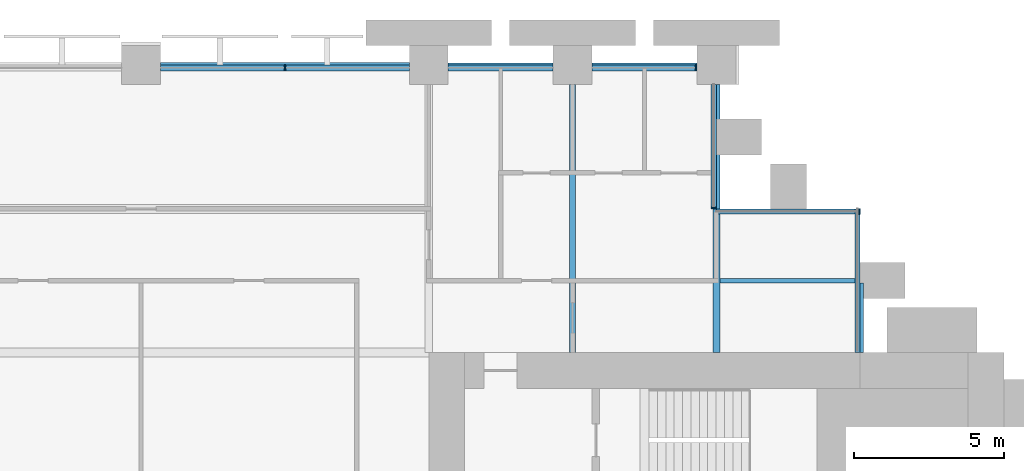
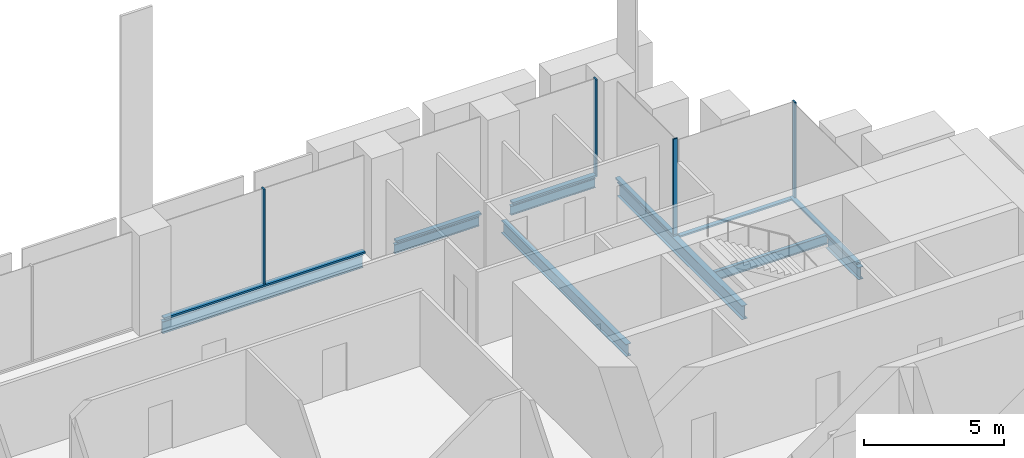
# One storey, part 13 of 22: 10 members, 7 beams, 4 elements without a shape of their own.
"""IFC4 building model written with IfcOpenShell, lengths in metres."""

from ifc_helpers import new_model, si_unit, direction, frame, origin, origin_2d, place, context, subcontext, project, spatial, rectangle, i_section, extrude, material, material_profile, profile_set, type_object, element, aggregate, save


model = new_model("IFC4")

# Units and contexts
model_context = context("Model", 3, precision=1e-05, world=origin(), true_north=direction((0.0, 1.0)))
body_context = subcontext(model_context, "Body", "Model", "MODEL_VIEW")
ifc_project = project(units=[si_unit("LENGTHUNIT", "METRE"), si_unit("AREAUNIT", "SQUARE_METRE"), si_unit("VOLUMEUNIT", "CUBIC_METRE"), si_unit("PLANEANGLEUNIT", "RADIAN"), si_unit("MASSUNIT", "GRAM", prefix="KILO")], contexts=[model_context])

# Site, building, storey
site_placement = place(None, origin())
site = spatial("IfcSite", under=ifc_project, at=site_placement, CompositionType="ELEMENT")
building_placement = place(site_placement, origin())
building = spatial("IfcBuilding", under=site, at=building_placement, Name="Baori Bourse Tower", CompositionType="ELEMENT")
storey_placement = place(building_placement, frame((0.0, 0.0, 25.800048828125)))
storey = spatial("IfcBuildingStorey", under=building, at=storey_placement, Name="L04", CompositionType="ELEMENT", Elevation=25.800048828125)

# Curtain wall, members
ifc_material_1 = material(Name="Pale anodised aluminium", Category="aluminium")
curtain_wall_type_1 = type_object("IfcCurtainWallType", Name="CW1 Curtain wall", PredefinedType="NOTDEFINED", material=ifc_material_1)
curtain_wall_1_placement = place(storey_placement, origin())
curtain_wall_1 = element("IfcCurtainWall", 1, at=curtain_wall_1_placement, inside=storey, type_object=curtain_wall_type_1, Name="Curtain wall CW1 L04 4", PredefinedType="NOTDEFINED")
ifc_material_2 = material(Name="Pale anodised aluminium", Category="aluminium")
ifc_material_profile_1 = material_profile(ifc_material_2, rectangle(XDim=0.199951171875, YDim=0.06005859375, at=origin_2d()), Name="Mullion 60x200")
ifc_profile_set_1 = profile_set([ifc_material_profile_1], Name="Pale anodised aluminium")
member_type_1 = type_object("IfcMemberType", Name="CW1 Curtain wall mullion", PredefinedType="MULLION", material=ifc_profile_set_1)
member_1_placement = place(storey_placement, frame((47.320068359375, 47.89990234375, 0.079833984375), z_axis=(0.0, 0.0, 1.0), x_axis=(0.0, -1.0, 0.0)))
member_1 = element("IfcMember", 2, at=member_1_placement, type_object=member_type_1, Name="Curtain wall CW1 mullion", PredefinedType="MULLION", context=body_context, shape_type="SweptSolid", body=[
    extrude(rectangle(XDim=0.199951171875, YDim=0.06005859375, at=origin_2d()), origin(), (0.0, 0.0, 1.0), 4.16015625),
])
member_2_placement = place(storey_placement, frame((33.60009765625, 47.89990234375, 0.079833984375), z_axis=(0.0, 0.0, 1.0), x_axis=(0.0, -1.0, 0.0)))
member_2 = element("IfcMember", 3, at=member_2_placement, type_object=member_type_1, Name="Curtain wall CW1 mullion", PredefinedType="MULLION", context=body_context, shape_type="SweptSolid", body=[
    extrude(rectangle(XDim=0.199951171875, YDim=0.06005859375, at=origin_2d()), origin(), (0.0, 0.0, 1.0), 4.16015625),
])
ifc_material_3 = material(Name="Pale anodised aluminium", Category="aluminium")
ifc_material_profile_2 = material_profile(ifc_material_3, rectangle(XDim=0.199951171875, YDim=0.080078125, at=origin_2d()), Name="Transom 80x200")
ifc_profile_set_2 = profile_set([ifc_material_profile_2], Name="Pale anodised aluminium")
member_type_2 = type_object("IfcMemberType", Name="CW1 Curtain wall transom", PredefinedType="USERDEFINED", material=ifc_profile_set_2)
member_3_placement = place(storey_placement, frame((47.35009765625, 47.89990234375, 0.0400390625), z_axis=(-1.0, 0.0, 0.0), x_axis=(0.0, -1.0, 0.0)))
member_3 = element("IfcMember", 4, at=member_3_placement, type_object=member_type_2, Name="Curtain wall CW1 sill rail", ObjectType="TRANSOM", PredefinedType="USERDEFINED", context=body_context, shape_type="SweptSolid", body=[
    extrude(rectangle(XDim=0.199951171875, YDim=0.080078125, at=origin_2d()), origin(), (0.0, 0.0, 1.0), 3.5),
])
member_4_placement = place(storey_placement, frame((42.550048828125, 47.89990234375, 0.0400390625), z_axis=(-1.0, 0.0, 0.0), x_axis=(0.0, -1.0, 0.0)))
member_4 = element("IfcMember", 5, at=member_4_placement, type_object=member_type_2, Name="Curtain wall CW1 sill rail", ObjectType="TRANSOM", PredefinedType="USERDEFINED", context=body_context, shape_type="SweptSolid", body=[
    extrude(rectangle(XDim=0.199951171875, YDim=0.080078125, at=origin_2d()), origin(), (0.0, 0.0, 1.0), 3.5),
])
member_5_placement = place(storey_placement, frame((37.75, 47.89990234375, 0.0400390625), z_axis=(-1.0, 0.0, 0.0), x_axis=(0.0, -1.0, 0.0)))
member_5 = element("IfcMember", 6, at=member_5_placement, type_object=member_type_2, Name="Curtain wall CW1 sill rail", ObjectType="TRANSOM", PredefinedType="USERDEFINED", context=body_context, shape_type="SweptSolid", body=[
    extrude(rectangle(XDim=0.199951171875, YDim=0.080078125, at=origin_2d()), origin(), (0.0, 0.0, 1.0), 8.300048828125),
])
aggregate(curtain_wall_1, [member_3, member_1, member_4, member_5, member_2])

# Curtain wall, member
ifc_material_4 = material(Name="Pale anodised aluminium", Category="aluminium")
curtain_wall_type_2 = type_object("IfcCurtainWallType", Name="CW2 Curtain wall", PredefinedType="NOTDEFINED", material=ifc_material_4)
curtain_wall_2_placement = place(storey_placement, origin())
curtain_wall_2 = element("IfcCurtainWall", 7, at=curtain_wall_2_placement, inside=storey, type_object=curtain_wall_type_2, Name="Curtain wall CW2 L04 2", PredefinedType="NOTDEFINED")
ifc_material_5 = material(Name="Pale anodised aluminium", Category="aluminium")
ifc_material_profile_3 = material_profile(ifc_material_5, rectangle(XDim=0.179931640625, YDim=0.054931640625, at=origin_2d()), Name="Mullion 55x180")
ifc_profile_set_3 = profile_set([ifc_material_profile_3], Name="Pale anodised aluminium")
member_type_3 = type_object("IfcMemberType", Name="CW2 Curtain wall mullion", PredefinedType="MULLION", material=ifc_profile_set_3)
member_6_placement = place(storey_placement, frame((52.7724609375, 43.110107421875, 0.070068359375), z_axis=(0.0, 0.0, 1.0), x_axis=(0.0, -1.0, 0.0)))
member_6 = element("IfcMember", 8, at=member_6_placement, type_object=member_type_3, Name="Curtain wall CW2 mullion", PredefinedType="MULLION", context=body_context, shape_type="SweptSolid", body=[
    extrude(rectangle(XDim=0.179931640625, YDim=0.054931640625, at=origin_2d()), origin(), (0.0, 0.0, 1.0), 4.169921875),
])

curtain_wall_3_placement = place(storey_placement, origin())
curtain_wall_3 = element("IfcCurtainWall", 9, at=curtain_wall_3_placement, inside=storey, type_object=curtain_wall_type_2, Name="Curtain wall CW2 L04 3", PredefinedType="NOTDEFINED")
member_7_placement = place(storey_placement, frame((47.909912109375, 43.2275390625, 0.070068359375), z_axis=(0.0, 0.0, 1.0), x_axis=(-1.0, 0.0, 0.0)))
member_7 = element("IfcMember", 10, at=member_7_placement, type_object=member_type_3, Name="Curtain wall CW2 mullion", PredefinedType="MULLION", context=body_context, shape_type="SweptSolid", body=[
    extrude(rectangle(XDim=0.179931640625, YDim=0.054931640625, at=origin_2d()), origin(), (0.0, 0.0, 1.0), 4.169921875),
])

curtain_wall_4_placement = place(storey_placement, origin())
curtain_wall_4 = element("IfcCurtainWall", 11, at=curtain_wall_4_placement, inside=storey, type_object=curtain_wall_type_2, Name="Curtain wall CW2 L04 1", PredefinedType="NOTDEFINED")
ifc_material_6 = material(Name="Pale anodised aluminium", Category="aluminium")
ifc_material_profile_4 = material_profile(ifc_material_6, rectangle(XDim=0.179931640625, YDim=0.070068359375, at=origin_2d()), Name="Transom 70x180")
ifc_profile_set_4 = profile_set([ifc_material_profile_4], Name="Pale anodised aluminium")
member_type_4 = type_object("IfcMemberType", Name="CW2 Curtain wall transom", PredefinedType="USERDEFINED", material=ifc_profile_set_4)
member_8_placement = place(storey_placement, frame((52.7099609375, 38.39990234375, 0.034912109375), z_axis=(0.0, 1.0, 0.0), x_axis=(-1.0, 0.0, 0.0)))
member_8 = element("IfcMember", 12, at=member_8_placement, type_object=member_type_4, Name="Curtain wall CW2 sill rail", ObjectType="TRANSOM", PredefinedType="USERDEFINED", context=body_context, shape_type="SweptSolid", body=[
    extrude(rectangle(XDim=0.179931640625, YDim=0.070068359375, at=origin_2d()), origin(), (0.0, 0.0, 1.0), 4.800048828125),
])
aggregate(curtain_wall_4, [member_8])

# Member
member_9_placement = place(storey_placement, frame((52.800048828125, 43.110107421875, 0.034912109375), z_axis=(-1.0, 0.0, 0.0), x_axis=(0.0, -1.0, 0.0)))
member_9 = element("IfcMember", 13, at=member_9_placement, type_object=member_type_4, Name="Curtain wall CW2 sill rail", ObjectType="TRANSOM", PredefinedType="USERDEFINED", context=body_context, shape_type="SweptSolid", body=[
    extrude(rectangle(XDim=0.179931640625, YDim=0.070068359375, at=origin_2d()), origin(), (0.0, 0.0, 1.0), 4.800048828125),
])

aggregate(curtain_wall_2, [member_9, member_6])

member_10_placement = place(storey_placement, frame((47.909912109375, 43.199951171875, 0.034912109375), z_axis=(0.0, 1.0, 0.0), x_axis=(-1.0, 0.0, 0.0)))
member_10 = element("IfcMember", 14, at=member_10_placement, type_object=member_type_4, Name="Curtain wall CW2 sill rail", ObjectType="TRANSOM", PredefinedType="USERDEFINED", context=body_context, shape_type="SweptSolid", body=[
    extrude(rectangle(XDim=0.179931640625, YDim=0.070068359375, at=origin_2d()), origin(), (0.0, 0.0, 1.0), 4.150146484375),
])

aggregate(curtain_wall_3, [member_10, member_7])

# Beams
ifc_material_7 = material(Name="Steel A992 Gr 50", Category="steel")
ifc_material_profile_5 = material_profile(ifc_material_7, i_section(OverallWidth=0.21240234375, OverallDepth=0.54345703125, WebThickness=0.01318359375, FlangeThickness=0.021240234375, at=origin_2d()), Name="W21x83")
ifc_profile_set_5 = profile_set([ifc_material_profile_5], Name="Steel A992 Gr 50")
beam_type_1 = type_object("IfcBeamType", Name="Core bracket W21x83", PredefinedType="BEAM", material=ifc_profile_set_5)
beam_1_placement = place(storey_placement, frame((52.800048828125, 38.39990234375, -0.431884765625), z_axis=(0.0, 1.0, 0.0), x_axis=(-1.0, 0.0, 0.0)))
element("IfcBeam", 15, at=beam_1_placement, inside=storey, type_object=beam_type_1, Name="Core bracket L04", PredefinedType="BEAM", context=body_context, shape_type="SweptSolid", body=[
    extrude(i_section(OverallWidth=0.21240234375, OverallDepth=0.54345703125, WebThickness=0.01318359375, FlangeThickness=0.021240234375, at=origin_2d()), origin(), (0.0, 0.0, 1.0), 2.329833984375),
])
ifc_material_8 = material(Name="Steel A992 Gr 50", Category="steel")
ifc_material_profile_6 = material_profile(ifc_material_8, i_section(OverallWidth=0.140380859375, OverallDepth=0.40380859375, WebThickness=0.007080078125, FlangeThickness=0.01123046875, at=origin_2d()), Name="W16x31")
ifc_profile_set_6 = profile_set([ifc_material_profile_6], Name="Steel A992 Gr 50")
beam_type_2 = type_object("IfcBeamType", Name="Edge beam W16x31", PredefinedType="BEAM", material=ifc_profile_set_6)
for number, where, z_axis, x_axis, name in (
    (16, (39.050048828125, 48.0, -0.362060546875), (1.0, 0.0, 0.0), (0.0, 1.0, 0.0), "Edge beam L04"),
    (17, (43.85009765625, 48.0, -0.362060546875), (1.0, 0.0, 0.0), (0.0, 1.0, 0.0), "Edge beam L04"),
):
    element("IfcBeam", number, at=place(storey_placement, frame(where, z_axis=z_axis, x_axis=x_axis)), inside=storey, type_object=beam_type_2, Name=name, PredefinedType="BEAM", context=body_context, shape_type="SweptSolid", body=[
        extrude(i_section(OverallWidth=0.140380859375, OverallDepth=0.40380859375, WebThickness=0.007080078125, FlangeThickness=0.01123046875, at=origin_2d()), origin(), (0.0, 0.0, 1.0), 3.5),
    ])
ifc_material_9 = material(Name="Steel A992 Gr 50", Category="steel")
ifc_material_profile_7 = material_profile(ifc_material_9, i_section(OverallWidth=0.1650390625, OverallDepth=0.52587890625, WebThickness=0.0087890625, FlangeThickness=0.011474609375, at=origin_2d()), Name="W21x44")
ifc_profile_set_7 = profile_set([ifc_material_profile_7], Name="Steel A992 Gr 50")
beam_type_3 = type_object("IfcBeamType", Name="Edge beam W21x44", PredefinedType="BEAM", material=ifc_profile_set_7)
beam_2_placement = place(storey_placement, frame((29.449951171875, 48.0, -0.4228515625), z_axis=(1.0, 0.0, 0.0), x_axis=(0.0, 1.0, 0.0)))
element("IfcBeam", 18, at=beam_2_placement, inside=storey, type_object=beam_type_3, Name="Edge beam L04", PredefinedType="BEAM", context=body_context, shape_type="SweptSolid", body=[
    extrude(i_section(OverallWidth=0.1650390625, OverallDepth=0.52587890625, WebThickness=0.0087890625, FlangeThickness=0.011474609375, at=origin_2d()), origin(), (0.0, 0.0, 1.0), 8.300048828125),
])
ifc_material_10 = material(Name="Steel A992 Gr 50", Category="steel")
ifc_material_profile_8 = material_profile(ifc_material_10, i_section(OverallWidth=0.209228515625, OverallDepth=0.533447265625, WebThickness=0.01025390625, FlangeThickness=0.015625, at=origin_2d()), Name="W21x62")
ifc_profile_set_8 = profile_set([ifc_material_profile_8], Name="Steel A992 Gr 50")
beam_type_4 = type_object("IfcBeamType", Name="Floor beam W21x62", PredefinedType="BEAM", material=ifc_profile_set_8)
beam_3_placement = place(storey_placement, frame((43.199951171875, 38.39990234375, -0.4267578125), z_axis=(0.0, 1.0, 0.0), x_axis=(-1.0, 0.0, 0.0)))
element("IfcBeam", 19, at=beam_3_placement, inside=storey, type_object=beam_type_4, Name="Floor beam L04", PredefinedType="BEAM", context=body_context, shape_type="SweptSolid", body=[
    extrude(i_section(OverallWidth=0.209228515625, OverallDepth=0.533447265625, WebThickness=0.01025390625, FlangeThickness=0.015625, at=origin_2d()), origin(), (0.0, 0.0, 1.0), 8.9501953125),
])
ifc_material_11 = material(Name="Steel A992 Gr 50", Category="steel")
ifc_material_profile_9 = material_profile(ifc_material_11, i_section(OverallWidth=0.227783203125, OverallDepth=0.60205078125, WebThickness=0.010498046875, FlangeThickness=0.014892578125, at=origin_2d()), Name="W24x68")
ifc_profile_set_9 = profile_set([ifc_material_profile_9], Name="Steel A992 Gr 50")
beam_type_5 = type_object("IfcBeamType", Name="Floor beam W24x68", PredefinedType="BEAM", material=ifc_profile_set_9)
beam_4_placement = place(storey_placement, frame((48.0, 38.39990234375, -0.4609375), z_axis=(0.0, 1.0, 0.0), x_axis=(-1.0, 0.0, 0.0)))
element("IfcBeam", 20, at=beam_4_placement, inside=storey, type_object=beam_type_5, Name="Floor beam L04", PredefinedType="BEAM", context=body_context, shape_type="SweptSolid", body=[
    extrude(i_section(OverallWidth=0.227783203125, OverallDepth=0.60205078125, WebThickness=0.010498046875, FlangeThickness=0.014892578125, at=origin_2d()), origin(), (0.0, 0.0, 1.0), 8.9501953125),
])
ifc_material_12 = material(Name="Steel A992 Gr 50", Category="steel")
ifc_material_profile_10 = material_profile(ifc_material_12, i_section(OverallWidth=0.140380859375, OverallDepth=0.40380859375, WebThickness=0.007080078125, FlangeThickness=0.01123046875, at=origin_2d()), Name="W16x31")
ifc_profile_set_10 = profile_set([ifc_material_profile_10], Name="Steel A992 Gr 50")
beam_type_6 = type_object("IfcBeamType", Name="Trimmer beam W16x31", PredefinedType="BEAM", material=ifc_profile_set_10)
beam_5_placement = place(storey_placement, frame((48.114013671875, 40.800048828125, -0.362060546875), z_axis=(1.0, 0.0, 0.0), x_axis=(0.0, 1.0, 0.0)))
element("IfcBeam", 21, at=beam_5_placement, inside=storey, type_object=beam_type_6, Name="Trimmer beam L04", PredefinedType="BEAM", context=body_context, shape_type="SweptSolid", body=[
    extrude(i_section(OverallWidth=0.140380859375, OverallDepth=0.40380859375, WebThickness=0.007080078125, FlangeThickness=0.01123046875, at=origin_2d()), origin(), (0.0, 0.0, 1.0), 4.68603515625),
])

save(model, "model.ifc")
